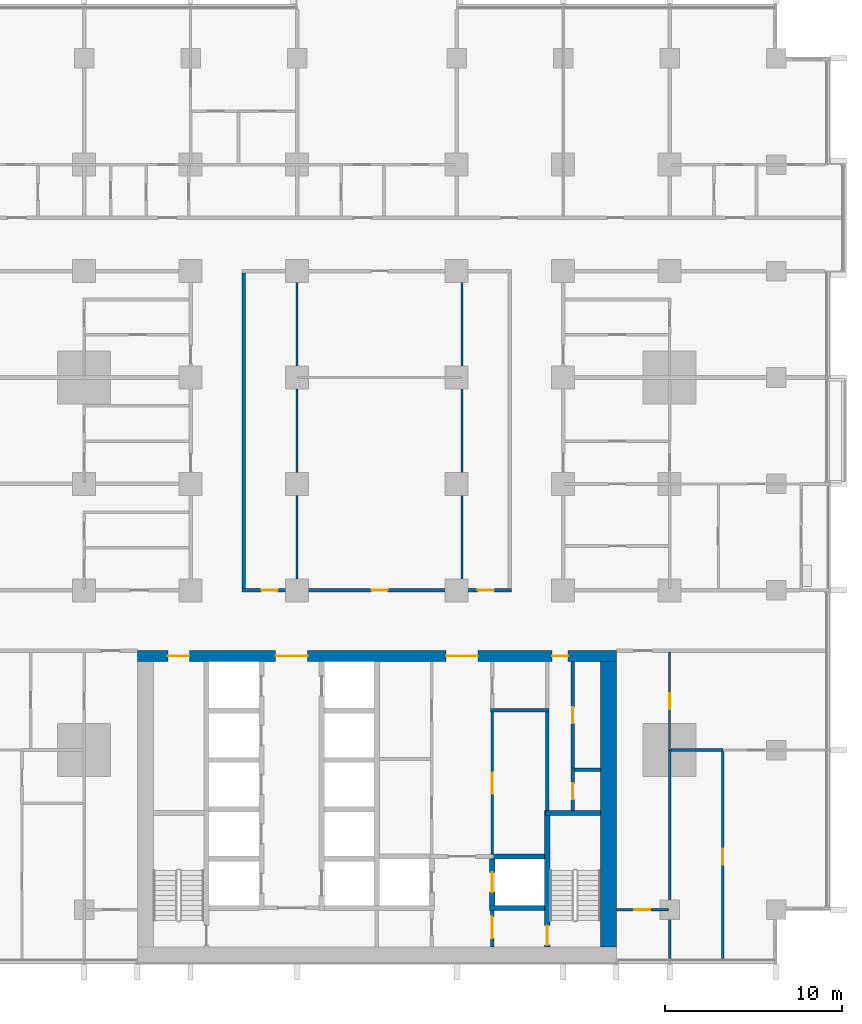
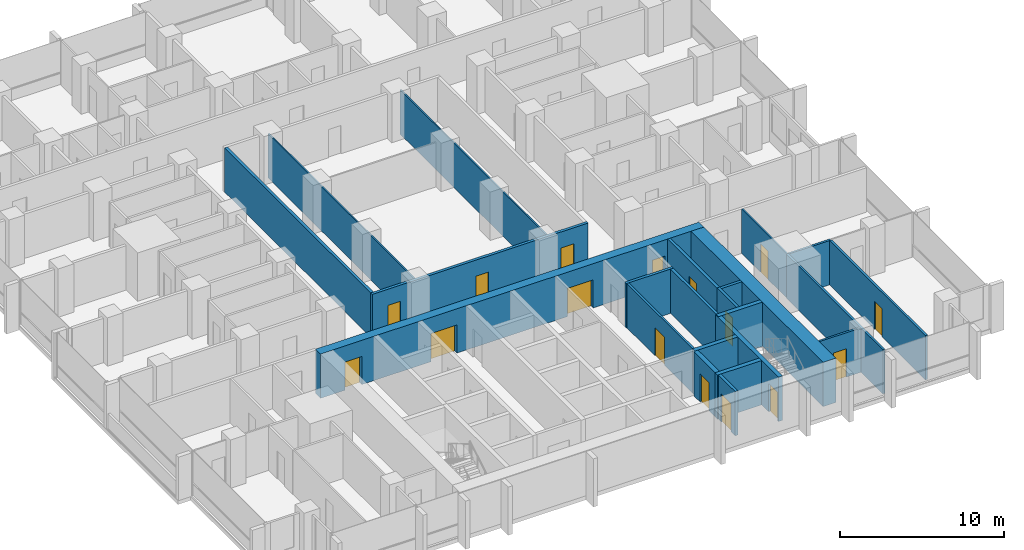
# One storey, part 9 of 17: 23 walls, 16 doors, 16 openings.
"""IFC4 building model written with IfcOpenShell, lengths in metres."""

from ifc_helpers import new_model, si_unit, direction, frame, frame_2d, origin, place, context, subcontext, project, spatial, rectangle, extrude, material, layer, layer_set, type_object, element, fill, save


model = new_model("IFC4")

# Units and contexts
model_context = context("Model", 3, precision=1e-05, world=origin(), true_north=direction((0.0, 1.0)))
body_context = subcontext(model_context, "Body", "Model", "MODEL_VIEW")
ifc_project = project(units=[si_unit("LENGTHUNIT", "METRE"), si_unit("AREAUNIT", "SQUARE_METRE"), si_unit("VOLUMEUNIT", "CUBIC_METRE"), si_unit("PLANEANGLEUNIT", "RADIAN"), si_unit("MASSUNIT", "GRAM", prefix="KILO")], contexts=[model_context])

# Site, building, storey
site_placement = place(None, origin())
site = spatial("IfcSite", under=ifc_project, at=site_placement, CompositionType="ELEMENT")
building_placement = place(site_placement, origin())
building = spatial("IfcBuilding", under=site, at=building_placement, Name="Finial Court Residences", CompositionType="ELEMENT")
storey_placement = place(building_placement, frame((0.0, 0.0, 64.89990234375)))
storey = spatial("IfcBuildingStorey", under=building, at=storey_placement, Name="L15", CompositionType="ELEMENT", Elevation=64.89990234375)

# Wall, openings, doors
ifc_material_1 = material(Name="Concrete C80/95", Category="concrete")
ifc_layer_1 = layer(ifc_material_1, 0.60009765625)
ifc_layer_set_1 = layer_set([ifc_layer_1], Name="Core outer wall 600 Concrete C80/95")
wall_type_1 = type_object("IfcWallType", Name="Core outer wall 600 Concrete C80/95", PredefinedType="SHEAR", material=ifc_layer_set_1)
wall_1_placement = place(storey_placement, frame((-13.5, -8.199951171875, 0.0), z_axis=(0.0, 0.0, 1.0), x_axis=(1.0, 0.0, 0.0)))
wall_1 = element("IfcWall", 1, at=wall_1_placement, inside=storey, type_object=wall_type_1, Name="Core outer wall L15-02", PredefinedType="SHEAR", context=body_context, shape_type="SweptSolid", body=[
    extrude(rectangle(XDim=27.0, YDim=0.60009765625, at=frame_2d((13.5, 0.0))), origin(), (0.0, 0.0, 1.0), 3.300048828125),
])
opening_1_placement = place(wall_1_placement, frame((7.800048828125, 0.0, 0.0)))
opening_1 = element("IfcOpeningElement", 2, at=opening_1_placement, cuts=wall_1, Name="Opening L15-C04", PredefinedType="OPENING", context=body_context, shape_type="SweptSolid", body=[
    extrude(rectangle(XDim=1.800048828125, YDim=2.10009765625, at=frame_2d((0.89990234375, 1.050048828125))), frame((0.0, 0.31005859375, 0.0), z_axis=(0.0, -1.0, 0.0), x_axis=(1.0, 0.0, 0.0)), (0.0, 0.0, 1.0), 0.6201171875),
])
opening_2_placement = place(wall_1_placement, frame((17.39990234375, 0.0, 0.0)))
opening_2 = element("IfcOpeningElement", 3, at=opening_2_placement, cuts=wall_1, Name="Opening L15-C05", PredefinedType="OPENING", context=body_context, shape_type="SweptSolid", body=[
    extrude(rectangle(XDim=1.800048828125, YDim=2.10009765625, at=frame_2d((0.89990234375, 1.050048828125))), frame((0.0, 0.31005859375, 0.0), z_axis=(0.0, -1.0, 0.0), x_axis=(1.0, 0.0, 0.0)), (0.0, 0.0, 1.0), 0.6201171875),
])
opening_3_placement = place(wall_1_placement, frame((1.72509765625, 0.0, 0.0)))
opening_3 = element("IfcOpeningElement", 4, at=opening_3_placement, cuts=wall_1, Name="Opening L15-C09", PredefinedType="OPENING", context=body_context, shape_type="SweptSolid", body=[
    extrude(rectangle(XDim=1.199951171875, YDim=2.10009765625, at=frame_2d((0.60009765625, 1.050048828125))), frame((0.0, 0.31005859375, 0.0), z_axis=(0.0, -1.0, 0.0), x_axis=(1.0, 0.0, 0.0)), (0.0, 0.0, 1.0), 0.6201171875),
])
opening_4_placement = place(wall_1_placement, frame((23.375, 0.0, 0.0)))
opening_4 = element("IfcOpeningElement", 5, at=opening_4_placement, cuts=wall_1, Name="Opening L15-C10", PredefinedType="OPENING", context=body_context, shape_type="SweptSolid", body=[
    extrude(rectangle(XDim=0.89990234375, YDim=2.10009765625, at=frame_2d((0.449951171875, 1.050048828125))), frame((0.0, 0.31005859375, 0.0), z_axis=(0.0, -1.0, 0.0), x_axis=(1.0, 0.0, 0.0)), (0.0, 0.0, 1.0), 0.6201171875),
])
ifc_material_2 = material(Name="Steel fire door", Category="steel")
door_type_1 = type_object("IfcDoorType", Name="Lift lobby door 1800 x 2100 EI 60", OperationType="DOUBLE_DOOR_SINGLE_SWING", PredefinedType="DOOR", material=ifc_material_2)
door_1_placement = place(opening_1_placement, origin())
door_1 = element("IfcDoor", 6, at=door_1_placement, inside=storey, type_object=door_type_1, Name="Lift lobby door L15-C04", OperationType="DOUBLE_DOOR_SINGLE_SWING", OverallHeight=2.10009765625, OverallWidth=1.800048828125, PredefinedType="DOOR", context=body_context, shape_type="SweptSolid", body=[
    extrude(rectangle(XDim=1.800048828125, YDim=2.10009765625, at=frame_2d((0.89990234375, 1.050048828125))), frame((0.0, 0.02490234375, 0.0), z_axis=(0.0, -1.0, 0.0), x_axis=(1.0, 0.0, 0.0)), (0.0, 0.0, 1.0), 0.050048828125),
])
fill(opening_1, door_1)
door_2_placement = place(opening_2_placement, origin())
door_2 = element("IfcDoor", 7, at=door_2_placement, inside=storey, type_object=door_type_1, Name="Lift lobby door L15-C05", OperationType="DOUBLE_DOOR_SINGLE_SWING", OverallHeight=2.10009765625, OverallWidth=1.800048828125, PredefinedType="DOOR", context=body_context, shape_type="SweptSolid", body=[
    extrude(rectangle(XDim=1.800048828125, YDim=2.10009765625, at=frame_2d((0.89990234375, 1.050048828125))), frame((0.0, 0.02490234375, 0.0), z_axis=(0.0, -1.0, 0.0), x_axis=(1.0, 0.0, 0.0)), (0.0, 0.0, 1.0), 0.050048828125),
])
fill(opening_2, door_2)
door_type_2 = type_object("IfcDoorType", Name="Riser room door 1200 x 2100 EI 90", OperationType="NOTDEFINED", PredefinedType="DOOR", material=ifc_material_2)
door_3_placement = place(opening_3_placement, origin())
door_3 = element("IfcDoor", 8, at=door_3_placement, inside=storey, type_object=door_type_2, Name="Riser room door L15-C09", OperationType="SINGLE_SWING_LEFT", OverallHeight=2.10009765625, OverallWidth=1.199951171875, PredefinedType="DOOR", context=body_context, shape_type="SweptSolid", body=[
    extrude(rectangle(XDim=1.199951171875, YDim=2.10009765625, at=frame_2d((0.60009765625, 1.050048828125))), frame((0.0, 0.02490234375, 0.0), z_axis=(0.0, -1.0, 0.0), x_axis=(1.0, 0.0, 0.0)), (0.0, 0.0, 1.0), 0.050048828125),
])
fill(opening_3, door_3)
door_type_3 = type_object("IfcDoorType", Name="Riser room door 900 x 2100 EI 90", OperationType="NOTDEFINED", PredefinedType="DOOR", material=ifc_material_2)
door_4_placement = place(opening_4_placement, origin())
door_4 = element("IfcDoor", 9, at=door_4_placement, inside=storey, type_object=door_type_3, Name="Riser room door L15-C10", OperationType="SINGLE_SWING_LEFT", OverallHeight=2.10009765625, OverallWidth=0.89990234375, PredefinedType="DOOR", context=body_context, shape_type="SweptSolid", body=[
    extrude(rectangle(XDim=0.89990234375, YDim=2.10009765625, at=frame_2d((0.449951171875, 1.050048828125))), frame((0.0, 0.02490234375, 0.0), z_axis=(0.0, -1.0, 0.0), x_axis=(1.0, 0.0, 0.0)), (0.0, 0.0, 1.0), 0.050048828125),
])
fill(opening_4, door_4)

# Wall
ifc_layer_2 = layer(ifc_material_1, 0.89990234375)
ifc_layer_set_2 = layer_set([ifc_layer_2], Name="Core outer wall 900 Concrete C80/95")
wall_type_2 = type_object("IfcWallType", Name="Core outer wall 900 Concrete C80/95", PredefinedType="SHEAR", material=ifc_layer_set_2)
wall_2_placement = place(storey_placement, frame((13.050048828125, -24.60009765625, 0.0), z_axis=(0.0, 0.0, 1.0), x_axis=(0.0, 1.0, 0.0)))
element("IfcWall", 10, at=wall_2_placement, inside=storey, type_object=wall_type_2, Name="Core outer wall L15-04", PredefinedType="SHEAR", context=body_context, shape_type="SweptSolid", body=[
    extrude(rectangle(XDim=16.10009765625, YDim=0.89990234375, at=frame_2d((8.050048828125, 0.0))), origin(), (0.0, 0.0, 1.0), 3.300048828125),
])

# Wall, opening, door
ifc_material_3 = material(Name="Fire-rated gypsum board partition")
ifc_layer_3 = layer(ifc_material_3, 0.14990234375)
ifc_layer_set_3 = layer_set([ifc_layer_3], Name="Core room partition 150 EI 60")
wall_type_3 = type_object("IfcWallType", Name="Core room partition 150 EI 60", PredefinedType="PARTITIONING", material=ifc_layer_set_3)
wall_3_placement = place(storey_placement, frame((6.5, -11.35009765625, 0.0), z_axis=(0.0, 0.0, 1.0), x_axis=(0.0, -1.0, 0.0)))
wall_3 = element("IfcWall", 11, at=wall_3_placement, inside=storey, type_object=wall_type_3, Name="Core partition L15-32", PredefinedType="PARTITIONING", context=body_context, shape_type="SweptSolid", body=[
    extrude(rectangle(XDim=8.0, YDim=0.14990234375, at=frame_2d((4.0, 0.0))), origin(), (0.0, 0.0, 1.0), 3.300048828125),
])
opening_5_placement = place(wall_3_placement, frame((3.425048828125, 0.0, 0.0)))
opening_5 = element("IfcOpeningElement", 12, at=opening_5_placement, cuts=wall_3, Name="Opening L15-C14", PredefinedType="OPENING", context=body_context, shape_type="SweptSolid", body=[
    extrude(rectangle(XDim=1.199951171875, YDim=2.10009765625, at=frame_2d((0.60009765625, 1.050048828125))), frame((0.0, 0.0849609375, 0.0), z_axis=(0.0, -1.0, 0.0), x_axis=(1.0, 0.0, 0.0)), (0.0, 0.0, 1.0), 0.169921875),
])
door_type_4 = type_object("IfcDoorType", Name="Core room door 1200 x 2100 EI 60", OperationType="NOTDEFINED", PredefinedType="DOOR", material=ifc_material_2)
door_5_placement = place(opening_5_placement, origin())
door_5 = element("IfcDoor", 13, at=door_5_placement, inside=storey, type_object=door_type_4, Name="Core room door L15-C14", OperationType="SINGLE_SWING_RIGHT", OverallHeight=2.10009765625, OverallWidth=1.199951171875, PredefinedType="DOOR", context=body_context, shape_type="SweptSolid", body=[
    extrude(rectangle(XDim=1.199951171875, YDim=2.10009765625, at=frame_2d((0.60009765625, 1.050048828125))), frame((0.0, 0.02490234375, 0.0), z_axis=(0.0, -1.0, 0.0), x_axis=(1.0, 0.0, 0.0)), (0.0, 0.0, 1.0), 0.050048828125),
])
fill(opening_5, door_5)

# Wall, openings, doors
ifc_material_4 = material(Name="Gypsum board")
ifc_layer_4 = layer(ifc_material_4, 0.02490234375)
ifc_material_5 = material(Name="Acoustic mineral wool in double frame")
ifc_layer_5 = layer(ifc_material_5, 0.14990234375)
ifc_layer_6 = layer(ifc_material_4, 0.02490234375)
ifc_layer_set_4 = layer_set([ifc_layer_4, ifc_layer_5, ifc_layer_6], Name="Corridor wall 200, 1 hour")
wall_type_4 = type_object("IfcWallType", Name="Corridor wall 200, 1 hour", PredefinedType="PARTITIONING", material=ifc_layer_set_4)
wall_4_placement = place(storey_placement, frame((-7.60009765625, -4.5, 0.0), z_axis=(0.0, 0.0, 1.0), x_axis=(1.0, 0.0, 0.0)))
wall_4 = element("IfcWall", 14, at=wall_4_placement, inside=storey, type_object=wall_type_4, Name="Partition L15-010", PredefinedType="PARTITIONING", context=body_context, shape_type="SweptSolid", body=[
    extrude(rectangle(XDim=15.2001953125, YDim=0.199951171875, at=frame_2d((7.60009765625, 0.0))), origin(), (0.0, 0.0, 1.0), 3.300048828125),
])
opening_6_placement = place(wall_4_placement, frame((1.10009765625, 0.0, 0.0)))
opening_6 = element("IfcOpeningElement", 15, at=opening_6_placement, cuts=wall_4, Name="Opening L15-D008", PredefinedType="OPENING", context=body_context, shape_type="SweptSolid", body=[
    extrude(rectangle(XDim=0.89990234375, YDim=2.10009765625, at=frame_2d((0.449951171875, 1.050048828125))), frame((0.0, 0.10986328125, 0.0), z_axis=(0.0, -1.0, 0.0), x_axis=(1.0, 0.0, 0.0)), (0.0, 0.0, 1.0), 0.219970703125),
])
opening_7_placement = place(wall_4_placement, frame((7.300048828125, 0.0, 0.0)))
opening_7 = element("IfcOpeningElement", 16, at=opening_7_placement, cuts=wall_4, Name="Opening L15-D009", PredefinedType="OPENING", context=body_context, shape_type="SweptSolid", body=[
    extrude(rectangle(XDim=0.89990234375, YDim=2.10009765625, at=frame_2d((0.449951171875, 1.050048828125))), frame((0.0, 0.10986328125, 0.0), z_axis=(0.0, -1.0, 0.0), x_axis=(1.0, 0.0, 0.0)), (0.0, 0.0, 1.0), 0.219970703125),
])
opening_8_placement = place(wall_4_placement, frame((13.300048828125, 0.0, 0.0)))
opening_8 = element("IfcOpeningElement", 17, at=opening_8_placement, cuts=wall_4, Name="Opening L15-D010", PredefinedType="OPENING", context=body_context, shape_type="SweptSolid", body=[
    extrude(rectangle(XDim=0.89990234375, YDim=2.10009765625, at=frame_2d((0.449951171875, 1.050048828125))), frame((0.0, 0.10986328125, 0.0), z_axis=(0.0, -1.0, 0.0), x_axis=(1.0, 0.0, 0.0)), (0.0, 0.0, 1.0), 0.219970703125),
])
ifc_material_6 = material(Name="Timber door leaf in hollow metal frame", Category="wood")
door_type_5 = type_object("IfcDoorType", Name="Fire door set 900 x 2100, 30 minutes", OperationType="SINGLE_SWING_LEFT", PredefinedType="DOOR", material=ifc_material_6)
door_6_placement = place(opening_6_placement, origin())
door_6 = element("IfcDoor", 18, at=door_6_placement, inside=storey, type_object=door_type_5, Name="Door L15-D008", OperationType="SINGLE_SWING_RIGHT", OverallHeight=2.10009765625, OverallWidth=0.89990234375, PredefinedType="DOOR", context=body_context, shape_type="SweptSolid", body=[
    extrude(rectangle(XDim=0.89990234375, YDim=2.10009765625, at=frame_2d((0.449951171875, 1.050048828125))), frame((0.0, 0.02490234375, 0.0), z_axis=(0.0, -1.0, 0.0), x_axis=(1.0, 0.0, 0.0)), (0.0, 0.0, 1.0), 0.050048828125),
])
fill(opening_6, door_6)
door_7_placement = place(opening_7_placement, origin())
door_7 = element("IfcDoor", 19, at=door_7_placement, inside=storey, type_object=door_type_5, Name="Door L15-D009", OperationType="SINGLE_SWING_LEFT", OverallHeight=2.10009765625, OverallWidth=0.89990234375, PredefinedType="DOOR", context=body_context, shape_type="SweptSolid", body=[
    extrude(rectangle(XDim=0.89990234375, YDim=2.10009765625, at=frame_2d((0.449951171875, 1.050048828125))), frame((0.0, 0.02490234375, 0.0), z_axis=(0.0, -1.0, 0.0), x_axis=(1.0, 0.0, 0.0)), (0.0, 0.0, 1.0), 0.050048828125),
])
fill(opening_7, door_7)
door_8_placement = place(opening_8_placement, origin())
door_8 = element("IfcDoor", 20, at=door_8_placement, inside=storey, type_object=door_type_5, Name="Door L15-D010", OperationType="SINGLE_SWING_LEFT", OverallHeight=2.10009765625, OverallWidth=0.89990234375, PredefinedType="DOOR", context=body_context, shape_type="SweptSolid", body=[
    extrude(rectangle(XDim=0.89990234375, YDim=2.10009765625, at=frame_2d((0.449951171875, 1.050048828125))), frame((0.0, 0.02490234375, 0.0), z_axis=(0.0, -1.0, 0.0), x_axis=(1.0, 0.0, 0.0)), (0.0, 0.0, 1.0), 0.050048828125),
])
fill(opening_8, door_8)

# Wall
wall_5_placement = place(storey_placement, frame((-7.5, -4.39990234375, 0.0), z_axis=(0.0, 0.0, 1.0), x_axis=(0.0, 1.0, 0.0)))
element("IfcWall", 21, at=wall_5_placement, inside=storey, type_object=wall_type_4, Name="Partition L15-067", PredefinedType="PARTITIONING", context=body_context, shape_type="SweptSolid", body=[
    extrude(rectangle(XDim=17.7998046875, YDim=0.199951171875, at=frame_2d((8.89990234375, 0.0))), origin(), (0.0, 0.0, 1.0), 3.300048828125),
])

# Wall, opening, door
ifc_layer_7 = layer(ifc_material_3, 0.199951171875)
ifc_layer_set_5 = layer_set([ifc_layer_7], Name="Firefighting lobby wall 200 EI 120")
wall_type_5 = type_object("IfcWallType", Name="Firefighting lobby wall 200 EI 120", PredefinedType="PARTITIONING", material=ifc_layer_set_5)
wall_6_placement = place(storey_placement, frame((6.5, -22.550048828125, 0.0), z_axis=(0.0, 0.0, 1.0), x_axis=(0.0, -1.0, 0.0)))
wall_6 = element("IfcWall", 22, at=wall_6_placement, inside=storey, type_object=wall_type_5, Name="Core partition L15-30", PredefinedType="PARTITIONING", context=body_context, shape_type="SweptSolid", body=[
    extrude(rectangle(XDim=2.050048828125, YDim=0.199951171875, at=frame_2d((1.02490234375, 0.0))), origin(), (0.0, 0.0, 1.0), 3.300048828125),
])
opening_9_placement = place(wall_6_placement, frame((0.35009765625, 0.0, 0.0)))
opening_9 = element("IfcOpeningElement", 23, at=opening_9_placement, cuts=wall_6, Name="Opening L15-C01", PredefinedType="OPENING", context=body_context, shape_type="SweptSolid", body=[
    extrude(rectangle(XDim=1.199951171875, YDim=2.10009765625, at=frame_2d((0.60009765625, 1.050048828125))), frame((0.0, 0.10986328125, 0.0), z_axis=(0.0, -1.0, 0.0), x_axis=(1.0, 0.0, 0.0)), (0.0, 0.0, 1.0), 0.219970703125),
])
door_type_6 = type_object("IfcDoorType", Name="Firefighting lobby door 1200 x 2100 EI 90", OperationType="NOTDEFINED", PredefinedType="DOOR", material=ifc_material_2)
door_9_placement = place(opening_9_placement, origin())
door_9 = element("IfcDoor", 24, at=door_9_placement, inside=storey, type_object=door_type_6, Name="Firefighting lobby door L15-C01", OperationType="SINGLE_SWING_RIGHT", OverallHeight=2.10009765625, OverallWidth=1.199951171875, PredefinedType="DOOR", context=body_context, shape_type="SweptSolid", body=[
    extrude(rectangle(XDim=1.199951171875, YDim=2.10009765625, at=frame_2d((0.60009765625, 1.050048828125))), frame((0.0, 0.02490234375, 0.0), z_axis=(0.0, -1.0, 0.0), x_axis=(1.0, 0.0, 0.0)), (0.0, 0.0, 1.0), 0.050048828125),
])
fill(opening_9, door_9)

# Walls
ifc_layer_8 = layer(ifc_material_4, 0.012451171875)
ifc_material_7 = material(Name="Mineral wool in light-gauge frame")
ifc_layer_9 = layer(ifc_material_7, 0.074951171875)
ifc_layer_10 = layer(ifc_material_4, 0.012451171875)
ifc_layer_set_6 = layer_set([ifc_layer_8, ifc_layer_9, ifc_layer_10], Name="Gypsum board partition 100")
wall_type_6 = type_object("IfcWallType", Name="Gypsum board partition 100", PredefinedType="PARTITIONING", material=ifc_layer_set_6)
for number, where, z_axis, x_axis, name in (
    (25, (-4.5, -4.39990234375, 0.0), (0.0, 0.0, 1.0), (0.0, 1.0, 0.0), "Partition L15-068"),
    (26, (4.800048828125, -4.39990234375, 0.0), (0.0, 0.0, 1.0), (0.0, 1.0, 0.0), "Partition L15-074"),
):
    element("IfcWall", number, at=place(storey_placement, frame(where, z_axis=z_axis, x_axis=x_axis)), inside=storey, type_object=wall_type_6, Name=name, PredefinedType="PARTITIONING", context=body_context, shape_type="SweptSolid", body=[
        extrude(rectangle(XDim=17.7998046875, YDim=0.10009765625, at=frame_2d((8.89990234375, 0.0))), origin(), (0.0, 0.0, 1.0), 3.300048828125),
    ])

# Wall, opening, door
wall_7_placement = place(storey_placement, frame((16.5, -13.5, 0.0), z_axis=(0.0, 0.0, 1.0), x_axis=(0.0, 1.0, 0.0)))
wall_7 = element("IfcWall", 27, at=wall_7_placement, inside=storey, type_object=wall_type_6, Name="Partition L15-079", PredefinedType="PARTITIONING", context=body_context, shape_type="SweptSolid", body=[
    extrude(rectangle(XDim=5.5, YDim=0.10009765625, at=frame_2d((2.75, 0.0))), origin(), (0.0, 0.0, 1.0), 3.300048828125),
])
opening_10_placement = place(wall_7_placement, frame((2.300048828125, 0.0, 0.0)))
opening_10 = element("IfcOpeningElement", 28, at=opening_10_placement, cuts=wall_7, Name="Opening L15-D052", PredefinedType="OPENING", context=body_context, shape_type="SweptSolid", body=[
    extrude(rectangle(XDim=0.89990234375, YDim=2.10009765625, at=frame_2d((0.449951171875, 1.050048828125))), frame((0.0, 0.06005859375, 0.0), z_axis=(0.0, -1.0, 0.0), x_axis=(1.0, 0.0, 0.0)), (0.0, 0.0, 1.0), 0.1201171875),
])
ifc_material_8 = material(Name="Timber door leaf in timber frame", Category="wood")
door_type_7 = type_object("IfcDoorType", Name="Door set 900 x 2100", OperationType="SINGLE_SWING_LEFT", PredefinedType="DOOR", material=ifc_material_8)
door_10_placement = place(opening_10_placement, origin())
door_10 = element("IfcDoor", 29, at=door_10_placement, inside=storey, type_object=door_type_7, Name="Door L15-D052", OperationType="SINGLE_SWING_RIGHT", OverallHeight=2.10009765625, OverallWidth=0.89990234375, PredefinedType="DOOR", context=body_context, shape_type="SweptSolid", body=[
    extrude(rectangle(XDim=0.89990234375, YDim=2.10009765625, at=frame_2d((0.449951171875, 1.050048828125))), frame((0.0, 0.02490234375, 0.0), z_axis=(0.0, -1.0, 0.0), x_axis=(1.0, 0.0, 0.0)), (0.0, 0.0, 1.0), 0.050048828125),
])
fill(opening_10, door_10)

ifc_material_9 = material(Name="Moisture-resistant gypsum board")
ifc_layer_11 = layer(ifc_material_9, 0.012451171875)
ifc_layer_12 = layer(ifc_material_7, 0.125)
ifc_layer_13 = layer(ifc_material_9, 0.012451171875)
ifc_layer_set_7 = layer_set([ifc_layer_11, ifc_layer_12, ifc_layer_13], Name="Gypsum board wet-area partition 150")
wall_type_7 = type_object("IfcWallType", Name="Gypsum board wet-area partition 150", PredefinedType="PARTITIONING", material=ifc_layer_set_7)
wall_8_placement = place(storey_placement, frame((13.5, -22.5, 0.0), z_axis=(0.0, 0.0, 1.0), x_axis=(1.0, 0.0, 0.0)))
wall_8 = element("IfcWall", 30, at=wall_8_placement, inside=storey, type_object=wall_type_7, Name="Partition L15-001", PredefinedType="PARTITIONING", context=body_context, shape_type="SweptSolid", body=[
    extrude(rectangle(XDim=2.925048828125, YDim=0.14990234375, at=frame_2d((1.46240234375, 0.0))), origin(), (0.0, 0.0, 1.0), 3.300048828125),
])
opening_11_placement = place(wall_8_placement, frame((1.0, 0.0, 0.0)))
opening_11 = element("IfcOpeningElement", 31, at=opening_11_placement, cuts=wall_8, Name="Opening L15-D002", PredefinedType="OPENING", context=body_context, shape_type="SweptSolid", body=[
    extrude(rectangle(XDim=0.89990234375, YDim=2.10009765625, at=frame_2d((0.449951171875, 1.050048828125))), frame((0.0, 0.0849609375, 0.0), z_axis=(0.0, -1.0, 0.0), x_axis=(1.0, 0.0, 0.0)), (0.0, 0.0, 1.0), 0.169921875),
])
door_11_placement = place(opening_11_placement, origin())
door_11 = element("IfcDoor", 32, at=door_11_placement, inside=storey, type_object=door_type_7, Name="Door L15-D002", OperationType="SINGLE_SWING_RIGHT", OverallHeight=2.10009765625, OverallWidth=0.89990234375, PredefinedType="DOOR", context=body_context, shape_type="SweptSolid", body=[
    extrude(rectangle(XDim=0.89990234375, YDim=2.10009765625, at=frame_2d((0.449951171875, 1.050048828125))), frame((0.0, 0.02490234375, 0.0), z_axis=(0.0, -1.0, 0.0), x_axis=(1.0, 0.0, 0.0)), (0.0, 0.0, 1.0), 0.050048828125),
])
fill(opening_11, door_11)

# Walls
wall_9_placement = place(storey_placement, frame((16.574951171875, -13.5, 0.0), z_axis=(0.0, 0.0, 1.0), x_axis=(1.0, 0.0, 0.0)))
element("IfcWall", 33, at=wall_9_placement, inside=storey, type_object=wall_type_7, Name="Partition L15-006", PredefinedType="PARTITIONING", context=body_context, shape_type="SweptSolid", body=[
    extrude(rectangle(XDim=2.925048828125, YDim=0.14990234375, at=frame_2d((1.46240234375, 0.0))), origin(), (0.0, 0.0, 1.0), 3.300048828125),
])
wall_10_placement = place(storey_placement, frame((16.5, -25.25, 0.0), z_axis=(0.0, 0.0, 1.0), x_axis=(0.0, 1.0, 0.0)))
element("IfcWall", 34, at=wall_10_placement, inside=storey, type_object=wall_type_7, Name="Partition L15-082", PredefinedType="PARTITIONING", context=body_context, shape_type="SweptSolid", body=[
    extrude(rectangle(XDim=11.75, YDim=0.14990234375, at=frame_2d((5.875, 0.0))), origin(), (0.0, 0.0, 1.0), 3.300048828125),
])

# Wall, opening, door
wall_11_placement = place(storey_placement, frame((19.5, -25.25, 0.0), z_axis=(0.0, 0.0, 1.0), x_axis=(0.0, 1.0, 0.0)))
wall_11 = element("IfcWall", 35, at=wall_11_placement, inside=storey, type_object=wall_type_7, Name="Partition L15-088", PredefinedType="PARTITIONING", context=body_context, shape_type="SweptSolid", body=[
    extrude(rectangle(XDim=11.675048828125, YDim=0.14990234375, at=frame_2d((5.83740234375, 0.0))), origin(), (0.0, 0.0, 1.0), 3.300048828125),
])
opening_12_placement = place(wall_11_placement, frame((5.300048828125, 0.0, 0.0)))
opening_12 = element("IfcOpeningElement", 36, at=opening_12_placement, cuts=wall_11, Name="Opening L15-D057", PredefinedType="OPENING", context=body_context, shape_type="SweptSolid", body=[
    extrude(rectangle(XDim=0.89990234375, YDim=2.10009765625, at=frame_2d((0.449951171875, 1.050048828125))), frame((0.0, 0.0849609375, 0.0), z_axis=(0.0, -1.0, 0.0), x_axis=(1.0, 0.0, 0.0)), (0.0, 0.0, 1.0), 0.169921875),
])
door_12_placement = place(opening_12_placement, origin())
door_12 = element("IfcDoor", 37, at=door_12_placement, inside=storey, type_object=door_type_7, Name="Door L15-D057", OperationType="SINGLE_SWING_LEFT", OverallHeight=2.10009765625, OverallWidth=0.89990234375, PredefinedType="DOOR", context=body_context, shape_type="SweptSolid", body=[
    extrude(rectangle(XDim=0.89990234375, YDim=2.10009765625, at=frame_2d((0.449951171875, 1.050048828125))), frame((0.0, 0.02490234375, 0.0), z_axis=(0.0, -1.0, 0.0), x_axis=(1.0, 0.0, 0.0)), (0.0, 0.0, 1.0), 0.050048828125),
])
fill(opening_12, door_12)

# Walls
ifc_layer_14 = layer(ifc_material_1, 0.300048828125)
ifc_layer_set_8 = layer_set([ifc_layer_14], Name="Lift shaft and stair wall 300 Concrete C80/95")
wall_type_8 = type_object("IfcWallType", Name="Lift shaft and stair wall 300 Concrete C80/95", PredefinedType="SHEAR", material=ifc_layer_set_8)
wall_12_placement = place(storey_placement, frame((6.35009765625, -22.39990234375, 0.0), z_axis=(0.0, 0.0, 1.0), x_axis=(1.0, 0.0, 0.0)))
element("IfcWall", 38, at=wall_12_placement, inside=storey, type_object=wall_type_8, Name="Core wall L15-04", PredefinedType="SHEAR", context=body_context, shape_type="SweptSolid", body=[
    extrude(rectangle(XDim=3.099853515625, YDim=0.300048828125, at=frame_2d((1.5498046875, 0.0))), origin(), (0.0, 0.0, 1.0), 3.300048828125),
])
wall_13_placement = place(storey_placement, frame((6.425048828125, -19.5, 0.0), z_axis=(0.0, 0.0, 1.0), x_axis=(1.0, 0.0, 0.0)))
element("IfcWall", 39, at=wall_13_placement, inside=storey, type_object=wall_type_8, Name="Core wall L15-09", PredefinedType="SHEAR", context=body_context, shape_type="SweptSolid", body=[
    extrude(rectangle(XDim=3.02490234375, YDim=0.300048828125, at=frame_2d((1.512451171875, 0.0))), origin(), (0.0, 0.0, 1.0), 3.300048828125),
])
wall_14_placement = place(storey_placement, frame((9.5, -17.050048828125, 0.0), z_axis=(0.0, 0.0, 1.0), x_axis=(1.0, 0.0, 0.0)))
element("IfcWall", 40, at=wall_14_placement, inside=storey, type_object=wall_type_8, Name="Core wall L15-11", PredefinedType="SHEAR", context=body_context, shape_type="SweptSolid", body=[
    extrude(rectangle(XDim=3.10009765625, YDim=0.300048828125, at=frame_2d((1.550048828125, 0.0))), origin(), (0.0, 0.0, 1.0), 3.300048828125),
])

# Wall, opening, door
wall_15_placement = place(storey_placement, frame((6.5, -22.25, 0.0), z_axis=(0.0, 0.0, 1.0), x_axis=(0.0, 1.0, 0.0)))
wall_15 = element("IfcWall", 41, at=wall_15_placement, inside=storey, type_object=wall_type_8, Name="Core wall L15-31", PredefinedType="SHEAR", context=body_context, shape_type="SweptSolid", body=[
    extrude(rectangle(XDim=2.60009765625, YDim=0.300048828125, at=frame_2d((1.300048828125, 0.0))), origin(), (0.0, 0.0, 1.0), 3.300048828125),
])
opening_13_placement = place(wall_15_placement, frame((0.75, 0.0, 0.0)))
opening_13 = element("IfcOpeningElement", 42, at=opening_13_placement, cuts=wall_15, Name="Opening L15-LD02", PredefinedType="OPENING", context=body_context, shape_type="SweptSolid", body=[
    extrude(rectangle(XDim=1.10009765625, YDim=2.10009765625, at=frame_2d((0.550048828125, 1.050048828125))), frame((0.0, 0.159912109375, 0.0), z_axis=(0.0, -1.0, 0.0), x_axis=(1.0, 0.0, 0.0)), (0.0, 0.0, 1.0), 0.320068359375),
])
ifc_material_10 = material(Name="Stainless steel lift door", Category="steel")
door_type_8 = type_object("IfcDoorType", Name="Lift landing door 1100 x 2100 EI 90", OperationType="DOUBLE_DOOR_SLIDING", PredefinedType="DOOR", material=ifc_material_10)
door_13_placement = place(opening_13_placement, origin())
door_13 = element("IfcDoor", 43, at=door_13_placement, inside=storey, type_object=door_type_8, Name="Lift landing door FF2 L15", OperationType="DOUBLE_DOOR_SLIDING", OverallHeight=2.10009765625, OverallWidth=1.10009765625, PredefinedType="DOOR", context=body_context, shape_type="SweptSolid", body=[
    extrude(rectangle(XDim=1.10009765625, YDim=2.10009765625, at=frame_2d((0.550048828125, 1.050048828125))), frame((0.0, 0.02490234375, 0.0), z_axis=(0.0, -1.0, 0.0), x_axis=(1.0, 0.0, 0.0)), (0.0, 0.0, 1.0), 0.050048828125),
])
fill(opening_13, door_13)

wall_16_placement = place(storey_placement, frame((9.60009765625, -16.89990234375, 0.0), z_axis=(0.0, 0.0, 1.0), x_axis=(0.0, -1.0, 0.0)))
wall_16 = element("IfcWall", 44, at=wall_16_placement, inside=storey, type_object=wall_type_8, Name="Core wall L15-34", PredefinedType="SHEAR", context=body_context, shape_type="SweptSolid", body=[
    extrude(rectangle(XDim=7.7001953125, YDim=0.300048828125, at=frame_2d((3.85009765625, 0.0))), origin(), (0.0, 0.0, 1.0), 3.300048828125),
])
opening_14_placement = place(wall_16_placement, frame((6.5, 0.0, 0.0)))
opening_14 = element("IfcOpeningElement", 45, at=opening_14_placement, cuts=wall_16, Name="Opening L15-C16", PredefinedType="OPENING", context=body_context, shape_type="SweptSolid", body=[
    extrude(rectangle(XDim=1.10009765625, YDim=2.10009765625, at=frame_2d((0.550048828125, 1.050048828125))), frame((0.0, 0.159912109375, 0.0), z_axis=(0.0, -1.0, 0.0), x_axis=(1.0, 0.0, 0.0)), (0.0, 0.0, 1.0), 0.320068359375),
])
door_type_9 = type_object("IfcDoorType", Name="Stair door 1100 x 2100 EI 90", OperationType="NOTDEFINED", PredefinedType="DOOR", material=ifc_material_2)
door_14_placement = place(opening_14_placement, origin())
door_14 = element("IfcDoor", 46, at=door_14_placement, inside=storey, type_object=door_type_9, Name="Stair door L15-C16", OperationType="SINGLE_SWING_RIGHT", OverallHeight=2.10009765625, OverallWidth=1.10009765625, PredefinedType="DOOR", context=body_context, shape_type="SweptSolid", body=[
    extrude(rectangle(XDim=1.10009765625, YDim=2.10009765625, at=frame_2d((0.550048828125, 1.050048828125))), frame((0.0, 0.02490234375, 0.0), z_axis=(0.0, -1.0, 0.0), x_axis=(1.0, 0.0, 0.0)), (0.0, 0.0, 1.0), 0.050048828125),
])
fill(opening_14, door_14)

# Walls
ifc_layer_15 = layer(ifc_material_3, 0.199951171875)
ifc_layer_set_9 = layer_set([ifc_layer_15], Name="Riser room wall 200 EI 120")
wall_type_9 = type_object("IfcWallType", Name="Riser room wall 200 EI 120", PredefinedType="PARTITIONING", material=ifc_layer_set_9)
wall_17_placement = place(storey_placement, frame((11.14990234375, -14.60009765625, 0.0), z_axis=(0.0, 0.0, 1.0), x_axis=(1.0, 0.0, 0.0)))
element("IfcWall", 47, at=wall_17_placement, inside=storey, type_object=wall_type_9, Name="Core partition L15-14", PredefinedType="PARTITIONING", context=body_context, shape_type="SweptSolid", body=[
    extrude(rectangle(XDim=1.4501953125, YDim=0.199951171875, at=frame_2d((0.72509765625, 0.0))), origin(), (0.0, 0.0, 1.0), 3.300048828125),
])
wall_18_placement = place(storey_placement, frame((6.39990234375, -11.25, 0.0), z_axis=(0.0, 0.0, 1.0), x_axis=(1.0, 0.0, 0.0)))
element("IfcWall", 48, at=wall_18_placement, inside=storey, type_object=wall_type_9, Name="Core partition L15-20", PredefinedType="PARTITIONING", context=body_context, shape_type="SweptSolid", body=[
    extrude(rectangle(XDim=3.300048828125, YDim=0.199951171875, at=frame_2d((1.64990234375, 0.0))), origin(), (0.0, 0.0, 1.0), 3.300048828125),
])

# Wall, opening, door
wall_19_placement = place(storey_placement, frame((11.050048828125, -8.5, 0.0), z_axis=(0.0, 0.0, 1.0), x_axis=(0.0, -1.0, 0.0)))
wall_19 = element("IfcWall", 49, at=wall_19_placement, inside=storey, type_object=wall_type_9, Name="Core partition L15-38", PredefinedType="PARTITIONING", context=body_context, shape_type="SweptSolid", body=[
    extrude(rectangle(XDim=6.199951171875, YDim=0.199951171875, at=frame_2d((3.10009765625, 0.0))), origin(), (0.0, 0.0, 1.0), 3.300048828125),
])
opening_15_placement = place(wall_19_placement, frame((2.60009765625, 0.0, 0.0)))
opening_15 = element("IfcOpeningElement", 50, at=opening_15_placement, cuts=wall_19, Name="Opening L15-C07", PredefinedType="OPENING", context=body_context, shape_type="SweptSolid", body=[
    extrude(rectangle(XDim=0.89990234375, YDim=2.10009765625, at=frame_2d((0.449951171875, 1.050048828125))), frame((0.0, 0.10986328125, 0.0), z_axis=(0.0, -1.0, 0.0), x_axis=(1.0, 0.0, 0.0)), (0.0, 0.0, 1.0), 0.219970703125),
])
door_15_placement = place(opening_15_placement, origin())
door_15 = element("IfcDoor", 51, at=door_15_placement, inside=storey, type_object=door_type_3, Name="Riser room door L15-C07", OperationType="SINGLE_SWING_RIGHT", OverallHeight=2.10009765625, OverallWidth=0.89990234375, PredefinedType="DOOR", context=body_context, shape_type="SweptSolid", body=[
    extrude(rectangle(XDim=0.89990234375, YDim=2.10009765625, at=frame_2d((0.449951171875, 1.050048828125))), frame((0.0, 0.02490234375, 0.0), z_axis=(0.0, -1.0, 0.0), x_axis=(1.0, 0.0, 0.0)), (0.0, 0.0, 1.0), 0.050048828125),
])
fill(opening_15, door_15)

# Wall
ifc_layer_16 = layer(ifc_material_3, 0.199951171875)
ifc_layer_set_10 = layer_set([ifc_layer_16], Name="Stair passage wall 200 EI 180")
wall_type_10 = type_object("IfcWallType", Name="Stair passage wall 200 EI 180", PredefinedType="PARTITIONING", material=ifc_layer_set_10)
wall_20_placement = place(storey_placement, frame((9.60009765625, -16.89990234375, 0.0), z_axis=(0.0, 0.0, 1.0), x_axis=(0.0, 1.0, 0.0)))
element("IfcWall", 52, at=wall_20_placement, inside=storey, type_object=wall_type_10, Name="Core partition L15-35", PredefinedType="PARTITIONING", context=body_context, shape_type="SweptSolid", body=[
    extrude(rectangle(XDim=5.75, YDim=0.199951171875, at=frame_2d((2.875, 0.0))), origin(), (0.0, 0.0, 1.0), 3.300048828125),
])

# Wall, opening, door
wall_21_placement = place(storey_placement, frame((11.050048828125, -14.5, 0.0), z_axis=(0.0, 0.0, 1.0), x_axis=(0.0, -1.0, 0.0)))
wall_21 = element("IfcWall", 53, at=wall_21_placement, inside=storey, type_object=wall_type_10, Name="Core partition L15-37", PredefinedType="PARTITIONING", context=body_context, shape_type="SweptSolid", body=[
    extrude(rectangle(XDim=2.39990234375, YDim=0.199951171875, at=frame_2d((1.199951171875, 0.0))), origin(), (0.0, 0.0, 1.0), 3.300048828125),
])
opening_16_placement = place(wall_21_placement, frame((0.875, 0.0, 0.0)))
opening_16 = element("IfcOpeningElement", 54, at=opening_16_placement, cuts=wall_21, Name="Opening L15-C11", PredefinedType="OPENING", context=body_context, shape_type="SweptSolid", body=[
    extrude(rectangle(XDim=0.89990234375, YDim=2.10009765625, at=frame_2d((0.449951171875, 1.050048828125))), frame((0.0, 0.10986328125, 0.0), z_axis=(0.0, -1.0, 0.0), x_axis=(1.0, 0.0, 0.0)), (0.0, 0.0, 1.0), 0.219970703125),
])
door_type_10 = type_object("IfcDoorType", Name="Core room door 900 x 2100 EI 60", OperationType="NOTDEFINED", PredefinedType="DOOR", material=ifc_material_2)
door_16_placement = place(opening_16_placement, origin())
door_16 = element("IfcDoor", 55, at=door_16_placement, inside=storey, type_object=door_type_10, Name="Core room door L15-C11", OperationType="SINGLE_SWING_LEFT", OverallHeight=2.10009765625, OverallWidth=0.89990234375, PredefinedType="DOOR", context=body_context, shape_type="SweptSolid", body=[
    extrude(rectangle(XDim=0.89990234375, YDim=2.10009765625, at=frame_2d((0.449951171875, 1.050048828125))), frame((0.0, 0.02490234375, 0.0), z_axis=(0.0, -1.0, 0.0), x_axis=(1.0, 0.0, 0.0)), (0.0, 0.0, 1.0), 0.050048828125),
])
fill(opening_16, door_16)

save(model, "model.ifc")
